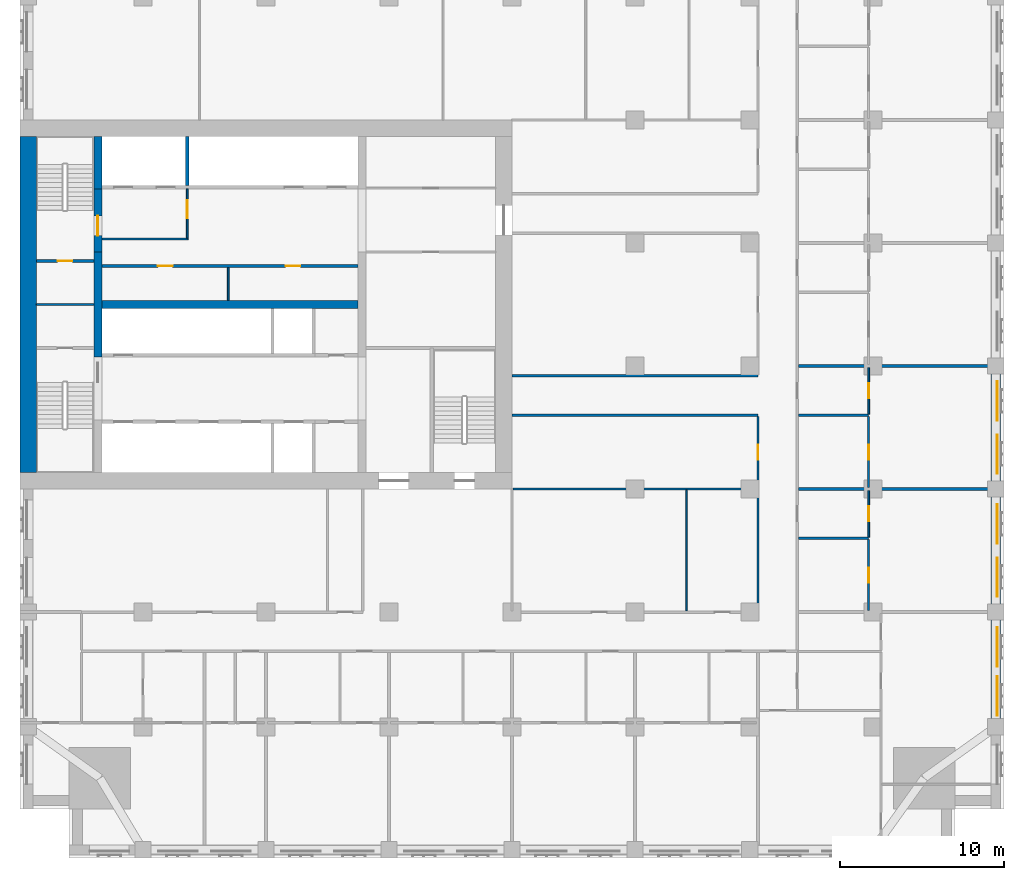
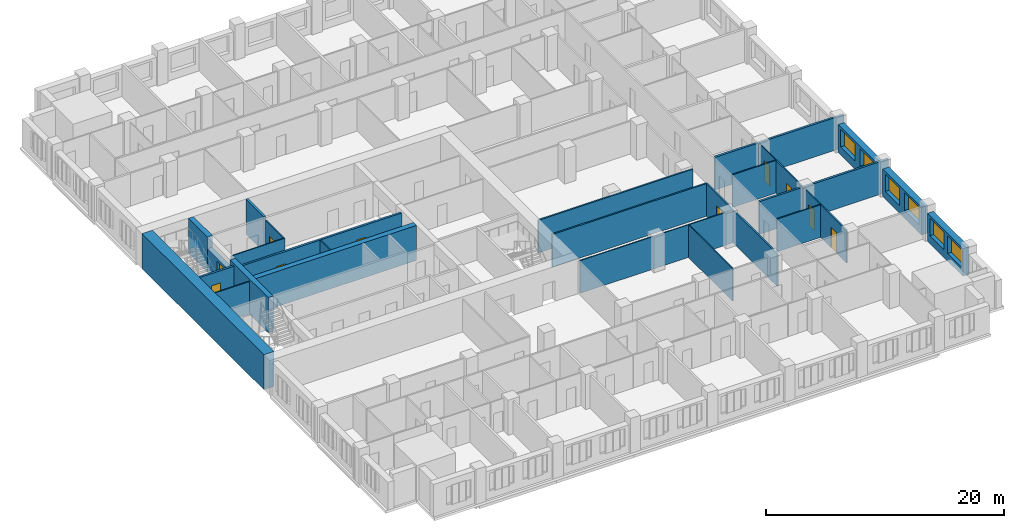
# One storey, part 7 of 14: 28 walls, 10 doors, 6 windows, 16 openings.
"""IFC4 building model written with IfcOpenShell, lengths in metres."""

from ifc_helpers import new_model, si_unit, direction, frame, frame_2d, origin, place, context, subcontext, project, spatial, rectangle, extrude, material, layer, layer_set, type_object, element, fill, save


model = new_model("IFC4")

# Units and contexts
model_context = context("Model", 3, precision=1e-05, world=origin(), true_north=direction((0.0, 1.0)))
body_context = subcontext(model_context, "Body", "Model", "MODEL_VIEW")
ifc_project = project(units=[si_unit("LENGTHUNIT", "METRE"), si_unit("AREAUNIT", "SQUARE_METRE"), si_unit("VOLUMEUNIT", "CUBIC_METRE"), si_unit("PLANEANGLEUNIT", "RADIAN"), si_unit("MASSUNIT", "GRAM", prefix="KILO")], contexts=[model_context])

# Site, building, storey
site_placement = place(None, origin())
site = spatial("IfcSite", under=ifc_project, at=site_placement, CompositionType="ELEMENT")
building_placement = place(site_placement, origin())
building = spatial("IfcBuilding", under=site, at=building_placement, Name="Tamorin Gate", CompositionType="ELEMENT")
storey_placement = place(building_placement, frame((0.0, 0.0, 100.699951171875)))
storey = spatial("IfcBuildingStorey", under=building, at=storey_placement, Name="L24", CompositionType="ELEMENT", Elevation=100.699951171875)

# Wall, openings, windows
ifc_material_1 = material(Name="Precast concrete C40/50", Category="concrete")
ifc_layer_1 = layer(ifc_material_1, 0.60009765625)
ifc_layer_set_1 = layer_set([ifc_layer_1], Name="Precast concrete C40/50")
wall_type_1 = type_object("IfcWallType", Name="Board-marked concrete facade panel 600", PredefinedType="SOLIDWALL", material=ifc_layer_set_1)
wall_1_placement = place(storey_placement, frame((89.5, 46.0, 0.0), z_axis=(0.0, 0.0, 1.0), x_axis=(0.0, 1.0, 0.0)))
wall_1 = element("IfcWall", 1, at=wall_1_placement, inside=storey, type_object=wall_type_1, Name="Facade panel", PredefinedType="SOLIDWALL", context=body_context, shape_type="SweptSolid", body=[
    extrude(rectangle(XDim=6.0, YDim=0.60009765625, at=frame_2d((3.0, 0.0))), origin(), (0.0, 0.0, 1.0), 2.85009765625),
])
opening_1_placement = place(wall_1_placement, frame((0.175048828125, 0.0, 0.800048828125)))
opening_1 = element("IfcOpeningElement", 2, at=opening_1_placement, cuts=wall_1, Name="Opening WN1", PredefinedType="OPENING", context=body_context, shape_type="SweptSolid", body=[
    extrude(rectangle(XDim=2.39990234375, YDim=1.800048828125, at=frame_2d((1.199951171875, 0.89990234375))), frame((0.0, 0.31005859375, 0.0), z_axis=(0.0, -1.0, 0.0), x_axis=(1.0, 0.0, 0.0)), (0.0, 0.0, 1.0), 0.6201171875),
])
opening_2_placement = place(wall_1_placement, frame((3.175048828125, 0.0, 0.800048828125)))
opening_2 = element("IfcOpeningElement", 3, at=opening_2_placement, cuts=wall_1, Name="Opening WN1", PredefinedType="OPENING", context=body_context, shape_type="SweptSolid", body=[
    extrude(rectangle(XDim=2.39990234375, YDim=1.800048828125, at=frame_2d((1.199951171875, 0.89990234375))), frame((0.0, 0.31005859375, 0.0), z_axis=(0.0, -1.0, 0.0), x_axis=(1.0, 0.0, 0.0)), (0.0, 0.0, 1.0), 0.6201171875),
])
ifc_material_2 = material(Name="Clear glass in aluminium frame", Category="aluminium")
window_type = type_object("IfcWindowType", Name="Deep-set window 2400x1800", PartitioningType="SINGLE_PANEL", PredefinedType="WINDOW", material=ifc_material_2)
window_1_placement = place(opening_1_placement, origin())
window_1 = element("IfcWindow", 4, at=window_1_placement, inside=storey, type_object=window_type, Name="Deep-set window", OverallHeight=1.800048828125, OverallWidth=2.39990234375, PartitioningType="SINGLE_PANEL", PredefinedType="WINDOW", context=body_context, shape_type="SweptSolid", body=[
    extrude(rectangle(XDim=2.39990234375, YDim=1.800048828125, at=frame_2d((1.199951171875, 0.89990234375))), frame((0.0, -0.070068359375, 0.0), z_axis=(0.0, -1.0, 0.0), x_axis=(1.0, 0.0, 0.0)), (0.0, 0.0, 1.0), 0.06005859375),
])
fill(opening_1, window_1)
window_2_placement = place(opening_2_placement, origin())
window_2 = element("IfcWindow", 5, at=window_2_placement, inside=storey, type_object=window_type, Name="Deep-set window", OverallHeight=1.800048828125, OverallWidth=2.39990234375, PartitioningType="SINGLE_PANEL", PredefinedType="WINDOW", context=body_context, shape_type="SweptSolid", body=[
    extrude(rectangle(XDim=2.39990234375, YDim=1.800048828125, at=frame_2d((1.199951171875, 0.89990234375))), frame((0.0, -0.070068359375, 0.0), z_axis=(0.0, -1.0, 0.0), x_axis=(1.0, 0.0, 0.0)), (0.0, 0.0, 1.0), 0.06005859375),
])
fill(opening_2, window_2)

wall_2_placement = place(storey_placement, frame((89.5, 53.0, 0.0), z_axis=(0.0, 0.0, 1.0), x_axis=(0.0, 1.0, 0.0)))
wall_2 = element("IfcWall", 6, at=wall_2_placement, inside=storey, type_object=wall_type_1, Name="Facade panel", PredefinedType="SOLIDWALL", context=body_context, shape_type="SweptSolid", body=[
    extrude(rectangle(XDim=6.5, YDim=0.60009765625, at=frame_2d((3.25, 0.0))), origin(), (0.0, 0.0, 1.0), 2.85009765625),
])
opening_3_placement = place(wall_2_placement, frame((0.425048828125, 0.0, 0.800048828125)))
opening_3 = element("IfcOpeningElement", 7, at=opening_3_placement, cuts=wall_2, Name="Opening WN1", PredefinedType="OPENING", context=body_context, shape_type="SweptSolid", body=[
    extrude(rectangle(XDim=2.39990234375, YDim=1.800048828125, at=frame_2d((1.199951171875, 0.89990234375))), frame((0.0, 0.31005859375, 0.0), z_axis=(0.0, -1.0, 0.0), x_axis=(1.0, 0.0, 0.0)), (0.0, 0.0, 1.0), 0.6201171875),
])
opening_4_placement = place(wall_2_placement, frame((3.675048828125, 0.0, 0.800048828125)))
opening_4 = element("IfcOpeningElement", 8, at=opening_4_placement, cuts=wall_2, Name="Opening WN1", PredefinedType="OPENING", context=body_context, shape_type="SweptSolid", body=[
    extrude(rectangle(XDim=2.39990234375, YDim=1.800048828125, at=frame_2d((1.199951171875, 0.89990234375))), frame((0.0, 0.31005859375, 0.0), z_axis=(0.0, -1.0, 0.0), x_axis=(1.0, 0.0, 0.0)), (0.0, 0.0, 1.0), 0.6201171875),
])
window_3_placement = place(opening_3_placement, origin())
window_3 = element("IfcWindow", 9, at=window_3_placement, inside=storey, type_object=window_type, Name="Deep-set window", OverallHeight=1.800048828125, OverallWidth=2.39990234375, PartitioningType="SINGLE_PANEL", PredefinedType="WINDOW", context=body_context, shape_type="SweptSolid", body=[
    extrude(rectangle(XDim=2.39990234375, YDim=1.800048828125, at=frame_2d((1.199951171875, 0.89990234375))), frame((0.0, -0.070068359375, 0.0), z_axis=(0.0, -1.0, 0.0), x_axis=(1.0, 0.0, 0.0)), (0.0, 0.0, 1.0), 0.06005859375),
])
fill(opening_3, window_3)
window_4_placement = place(opening_4_placement, origin())
window_4 = element("IfcWindow", 10, at=window_4_placement, inside=storey, type_object=window_type, Name="Deep-set window", OverallHeight=1.800048828125, OverallWidth=2.39990234375, PartitioningType="SINGLE_PANEL", PredefinedType="WINDOW", context=body_context, shape_type="SweptSolid", body=[
    extrude(rectangle(XDim=2.39990234375, YDim=1.800048828125, at=frame_2d((1.199951171875, 0.89990234375))), frame((0.0, -0.070068359375, 0.0), z_axis=(0.0, -1.0, 0.0), x_axis=(1.0, 0.0, 0.0)), (0.0, 0.0, 1.0), 0.06005859375),
])
fill(opening_4, window_4)

wall_3_placement = place(storey_placement, frame((89.5, 60.5, 0.0), z_axis=(0.0, 0.0, 1.0), x_axis=(0.0, 1.0, 0.0)))
wall_3 = element("IfcWall", 11, at=wall_3_placement, inside=storey, type_object=wall_type_1, Name="Facade panel", PredefinedType="SOLIDWALL", context=body_context, shape_type="SweptSolid", body=[
    extrude(rectangle(XDim=6.5, YDim=0.60009765625, at=frame_2d((3.25, 0.0))), origin(), (0.0, 0.0, 1.0), 2.85009765625),
])
opening_5_placement = place(wall_3_placement, frame((0.425048828125, 0.0, 0.800048828125)))
opening_5 = element("IfcOpeningElement", 12, at=opening_5_placement, cuts=wall_3, Name="Opening WN1", PredefinedType="OPENING", context=body_context, shape_type="SweptSolid", body=[
    extrude(rectangle(XDim=2.39990234375, YDim=1.800048828125, at=frame_2d((1.199951171875, 0.89990234375))), frame((0.0, 0.31005859375, 0.0), z_axis=(0.0, -1.0, 0.0), x_axis=(1.0, 0.0, 0.0)), (0.0, 0.0, 1.0), 0.6201171875),
])
opening_6_placement = place(wall_3_placement, frame((3.675048828125, 0.0, 0.800048828125)))
opening_6 = element("IfcOpeningElement", 13, at=opening_6_placement, cuts=wall_3, Name="Opening WN1", PredefinedType="OPENING", context=body_context, shape_type="SweptSolid", body=[
    extrude(rectangle(XDim=2.39990234375, YDim=1.800048828125, at=frame_2d((1.199951171875, 0.89990234375))), frame((0.0, 0.31005859375, 0.0), z_axis=(0.0, -1.0, 0.0), x_axis=(1.0, 0.0, 0.0)), (0.0, 0.0, 1.0), 0.6201171875),
])
window_5_placement = place(opening_5_placement, origin())
window_5 = element("IfcWindow", 14, at=window_5_placement, inside=storey, type_object=window_type, Name="Deep-set window", OverallHeight=1.800048828125, OverallWidth=2.39990234375, PartitioningType="SINGLE_PANEL", PredefinedType="WINDOW", context=body_context, shape_type="SweptSolid", body=[
    extrude(rectangle(XDim=2.39990234375, YDim=1.800048828125, at=frame_2d((1.199951171875, 0.89990234375))), frame((0.0, -0.070068359375, 0.0), z_axis=(0.0, -1.0, 0.0), x_axis=(1.0, 0.0, 0.0)), (0.0, 0.0, 1.0), 0.06005859375),
])
fill(opening_5, window_5)
window_6_placement = place(opening_6_placement, origin())
window_6 = element("IfcWindow", 15, at=window_6_placement, inside=storey, type_object=window_type, Name="Deep-set window", OverallHeight=1.800048828125, OverallWidth=2.39990234375, PartitioningType="SINGLE_PANEL", PredefinedType="WINDOW", context=body_context, shape_type="SweptSolid", body=[
    extrude(rectangle(XDim=2.39990234375, YDim=1.800048828125, at=frame_2d((1.199951171875, 0.89990234375))), frame((0.0, -0.070068359375, 0.0), z_axis=(0.0, -1.0, 0.0), x_axis=(1.0, 0.0, 0.0)), (0.0, 0.0, 1.0), 0.06005859375),
])
fill(opening_6, window_6)

# Wall, opening, door
ifc_material_3 = material(Name="Gypsum board partition")
ifc_layer_2 = layer(ifc_material_3, 0.14990234375)
ifc_layer_set_2 = layer_set([ifc_layer_2], Name="Corridor wall 150")
wall_type_2 = type_object("IfcWallType", Name="Corridor wall 150", PredefinedType="PARTITIONING", material=ifc_layer_set_2)
wall_4_placement = place(storey_placement, frame((75.0, 52.574951171875, 0.0), z_axis=(0.0, 0.0, 1.0), x_axis=(0.0, 1.0, 0.0)))
wall_4 = element("IfcWall", 16, at=wall_4_placement, inside=storey, type_object=wall_type_2, Name="Corridor wall 150", PredefinedType="PARTITIONING", context=body_context, shape_type="SweptSolid", body=[
    extrude(rectangle(XDim=11.85009765625, YDim=0.14990234375, at=frame_2d((5.925048828125, 0.0))), origin(), (0.0, 0.0, 1.0), 3.35009765625),
])
opening_7_placement = place(wall_4_placement, frame((9.22509765625, 0.0, 0.0)))
opening_7 = element("IfcOpeningElement", 17, at=opening_7_placement, cuts=wall_4, Name="Opening DH7075", PredefinedType="OPENING", context=body_context, shape_type="SweptSolid", body=[
    extrude(rectangle(XDim=0.89990234375, YDim=2.10009765625, at=frame_2d((0.449951171875, 1.050048828125))), frame((0.0, 0.0849609375, 0.0), z_axis=(0.0, -1.0, 0.0), x_axis=(1.0, 0.0, 0.0)), (0.0, 0.0, 1.0), 0.169921875),
])
ifc_material_4 = material(Name="Timber door leaf", Category="wood")
door_type_1 = type_object("IfcDoorType", Name="Door 900 x 2100 FD30S", OperationType="NOTDEFINED", PredefinedType="DOOR", material=ifc_material_4)
door_1_placement = place(opening_7_placement, origin())
door_1 = element("IfcDoor", 18, at=door_1_placement, inside=storey, type_object=door_type_1, Name="Door DH7075", OperationType="SINGLE_SWING_LEFT", OverallHeight=2.10009765625, OverallWidth=0.89990234375, PredefinedType="DOOR", context=body_context, shape_type="SweptSolid", body=[
    extrude(rectangle(XDim=0.89990234375, YDim=2.10009765625, at=frame_2d((0.449951171875, 1.050048828125))), frame((0.0, 0.02490234375, 0.0), z_axis=(0.0, -1.0, 0.0), x_axis=(1.0, 0.0, 0.0)), (0.0, 0.0, 1.0), 0.050048828125),
])
fill(opening_7, door_1)

# Walls
ifc_layer_3 = layer(ifc_material_3, 0.199951171875)
ifc_layer_set_3 = layer_set([ifc_layer_3], Name="Demising wall 200")
wall_type_3 = type_object("IfcWallType", Name="Demising wall 200", PredefinedType="PARTITIONING", material=ifc_layer_set_3)
for number, where, z_axis, x_axis, name in (
    (19, (77.47509765625, 60.0, 0.0), (0.0, 0.0, 1.0), (1.0, 0.0, 0.0), "Demising wall 200"),
    (20, (77.47509765625, 67.5, 0.0), (0.0, 0.0, 1.0), (1.0, 0.0, 0.0), "Demising wall 200"),
):
    element("IfcWall", number, at=place(storey_placement, frame(where, z_axis=z_axis, x_axis=x_axis)), inside=storey, type_object=wall_type_3, Name=name, PredefinedType="PARTITIONING", context=body_context, shape_type="SweptSolid", body=[
        extrude(rectangle(XDim=12.52490234375, YDim=0.199951171875, at=frame_2d((6.262451171875, 0.0))), origin(), (0.0, 0.0, 1.0), 3.35009765625),
    ])
ifc_material_5 = material(Name="Concrete C32/40", Category="concrete")
ifc_layer_4 = layer(ifc_material_5, 0.199951171875)
ifc_layer_set_4 = layer_set([ifc_layer_4], Name="Lift shaft wall 200 EI 120")
wall_type_4 = type_object("IfcWallType", Name="Lift shaft wall 200 EI 120", PredefinedType="SOLIDWALL", material=ifc_layer_set_4)
wall_5_placement = place(storey_placement, frame((40.199951171875, 78.5, 0.0), z_axis=(0.0, 0.0, 1.0), x_axis=(0.0, 1.0, 0.0)))
element("IfcWall", 21, at=wall_5_placement, inside=storey, type_object=wall_type_4, Name="Lift shaft wall", PredefinedType="SOLIDWALL", context=body_context, shape_type="SweptSolid", body=[
    extrude(rectangle(XDim=3.0, YDim=0.199951171875, at=frame_2d((1.5, 0.0))), origin(), (0.0, 0.0, 1.0), 3.60009765625),
])
ifc_material_6 = material(Name="Fire-rated gypsum board partition")
ifc_layer_5 = layer(ifc_material_6, 0.10009765625)
ifc_layer_set_5 = layer_set([ifc_layer_5], Name="Lobby wall 100 EI 60")
wall_type_5 = type_object("IfcWallType", Name="Lobby wall 100 EI 60", PredefinedType="PARTITIONING", material=ifc_layer_set_5)
wall_6_placement = place(storey_placement, frame((35.0, 75.25, 0.0), z_axis=(0.0, 0.0, 1.0), x_axis=(1.0, 0.0, 0.0)))
element("IfcWall", 22, at=wall_6_placement, inside=storey, type_object=wall_type_5, Name="Firefighting lobby wall", PredefinedType="PARTITIONING", context=body_context, shape_type="SweptSolid", body=[
    extrude(rectangle(XDim=5.25, YDim=0.10009765625, at=frame_2d((2.625, 0.0))), origin(), (0.0, 0.0, 1.0), 3.35009765625),
])

# Wall, opening, door
wall_7_placement = place(storey_placement, frame((40.199951171875, 75.300048828125, 0.0), z_axis=(0.0, 0.0, 1.0), x_axis=(0.0, 1.0, 0.0)))
wall_7 = element("IfcWall", 23, at=wall_7_placement, inside=storey, type_object=wall_type_5, Name="Firefighting lobby wall", PredefinedType="PARTITIONING", context=body_context, shape_type="SweptSolid", body=[
    extrude(rectangle(XDim=3.0, YDim=0.10009765625, at=frame_2d((1.5, 0.0))), origin(), (0.0, 0.0, 1.0), 3.35009765625),
])
opening_8_placement = place(wall_7_placement, frame((1.199951171875, 0.0, 0.0)))
opening_8 = element("IfcOpeningElement", 24, at=opening_8_placement, cuts=wall_7, Name="Opening DF1", PredefinedType="OPENING", context=body_context, shape_type="SweptSolid", body=[
    extrude(rectangle(XDim=1.10009765625, YDim=2.10009765625, at=frame_2d((0.550048828125, 1.050048828125))), frame((0.0, 0.06005859375, 0.0), z_axis=(0.0, -1.0, 0.0), x_axis=(1.0, 0.0, 0.0)), (0.0, 0.0, 1.0), 0.1201171875),
])
ifc_material_7 = material(Name="Steel fire door", Category="steel")
door_type_2 = type_object("IfcDoorType", Name="Firefighting lobby door 1100 x 2100 EI 90", OperationType="SINGLE_SWING_LEFT", PredefinedType="DOOR", material=ifc_material_7)
door_2_placement = place(opening_8_placement, origin())
door_2 = element("IfcDoor", 25, at=door_2_placement, inside=storey, type_object=door_type_2, Name="Firefighting lobby door", OperationType="SINGLE_SWING_LEFT", OverallHeight=2.10009765625, OverallWidth=1.10009765625, PredefinedType="DOOR", context=body_context, shape_type="SweptSolid", body=[
    extrude(rectangle(XDim=1.10009765625, YDim=2.10009765625, at=frame_2d((0.550048828125, 1.050048828125))), frame((0.0, 0.02490234375, 0.0), z_axis=(0.0, -1.0, 0.0), x_axis=(1.0, 0.0, 0.0)), (0.0, 0.0, 1.0), 0.050048828125),
])
fill(opening_8, door_2)

# Walls
ifc_layer_6 = layer(ifc_material_3, 0.14990234375)
ifc_layer_set_6 = layer_set([ifc_layer_6], Name="Lobby wall 150")
wall_type_6 = type_object("IfcWallType", Name="Lobby wall 150", PredefinedType="PARTITIONING", material=ifc_layer_set_6)
for number, where, z_axis, x_axis, name in (
    (26, (60.0, 64.5, 0.0), (0.0, 0.0, 1.0), (1.0, 0.0, 0.0), "Lobby wall 150"),
    (27, (60.0, 66.89990234375, 0.0), (0.0, 0.0, 1.0), (1.0, 0.0, 0.0), "Lobby wall 150"),
):
    element("IfcWall", number, at=place(storey_placement, frame(where, z_axis=z_axis, x_axis=x_axis)), inside=storey, type_object=wall_type_6, Name=name, PredefinedType="PARTITIONING", context=body_context, shape_type="SweptSolid", body=[
        extrude(rectangle(XDim=15.0, YDim=0.14990234375, at=frame_2d((7.5, 0.0))), origin(), (0.0, 0.0, 1.0), 3.35009765625),
    ])
ifc_material_8 = material(Name="Concrete C80/95", Category="concrete")
ifc_layer_7 = layer(ifc_material_8, 0.5)
ifc_layer_set_7 = layer_set([ifc_layer_7], Name="RC core internal wall 500 C80/95")
wall_type_7 = type_object("IfcWallType", Name="RC core internal wall 500 C80/95", PredefinedType="SHEAR", material=ifc_layer_set_7)
wall_8_placement = place(storey_placement, frame((35.0, 71.25, 0.0), z_axis=(0.0, 0.0, 1.0), x_axis=(1.0, 0.0, 0.0)))
element("IfcWall", 28, at=wall_8_placement, inside=storey, type_object=wall_type_7, Name="Core spine wall L24", PredefinedType="SHEAR", context=body_context, shape_type="SweptSolid", body=[
    extrude(rectangle(XDim=15.60009765625, YDim=0.5, at=frame_2d((7.800048828125, 0.0))), origin(), (0.0, 0.0, 1.0), 3.60009765625),
])
wall_9_placement = place(storey_placement, frame((34.75, 68.050048828125, 0.0), z_axis=(0.0, 0.0, 1.0), x_axis=(0.0, 1.0, 0.0)))
element("IfcWall", 29, at=wall_9_placement, inside=storey, type_object=wall_type_7, Name="Core cross wall L24", PredefinedType="SHEAR", context=body_context, shape_type="SweptSolid", body=[
    extrude(rectangle(XDim=6.39990234375, YDim=0.5, at=frame_2d((3.199951171875, 0.0))), origin(), (0.0, 0.0, 1.0), 3.60009765625),
])
wall_10_placement = place(storey_placement, frame((34.75, 78.300048828125, 0.0), z_axis=(0.0, 0.0, 1.0), x_axis=(0.0, 1.0, 0.0)))
element("IfcWall", 30, at=wall_10_placement, inside=storey, type_object=wall_type_7, Name="Core cross wall L24", PredefinedType="SHEAR", context=body_context, shape_type="SweptSolid", body=[
    extrude(rectangle(XDim=3.199951171875, YDim=0.5, at=frame_2d((1.60009765625, 0.0))), origin(), (0.0, 0.0, 1.0), 3.60009765625),
])
ifc_layer_8 = layer(ifc_material_8, 1.0)
ifc_layer_set_8 = layer_set([ifc_layer_8], Name="RC core wall 1000 C80/95")
wall_type_8 = type_object("IfcWallType", Name="RC core wall 1000 C80/95", PredefinedType="SHEAR", material=ifc_layer_set_8)
wall_11_placement = place(storey_placement, frame((30.5, 61.0, 0.0), z_axis=(0.0, 0.0, 1.0), x_axis=(0.0, 1.0, 0.0)))
element("IfcWall", 31, at=wall_11_placement, inside=storey, type_object=wall_type_8, Name="Core wall L24", PredefinedType="SHEAR", context=body_context, shape_type="SweptSolid", body=[
    extrude(rectangle(XDim=20.5, YDim=1.0, at=frame_2d((10.25, 0.0))), origin(), (0.0, 0.0, 1.0), 3.60009765625),
])
ifc_layer_9 = layer(ifc_material_6, 0.10009765625)
ifc_layer_set_9 = layer_set([ifc_layer_9], Name="Riser partition 100 EI 120")
wall_type_9 = type_object("IfcWallType", Name="Riser partition 100 EI 120", PredefinedType="PARTITIONING", material=ifc_layer_set_9)
wall_12_placement = place(storey_placement, frame((31.0, 71.25, 0.0), z_axis=(0.0, 0.0, 1.0), x_axis=(1.0, 0.0, 0.0)))
element("IfcWall", 32, at=wall_12_placement, inside=storey, type_object=wall_type_9, Name="Riser partition", PredefinedType="PARTITIONING", context=body_context, shape_type="SweptSolid", body=[
    extrude(rectangle(XDim=3.5, YDim=0.10009765625, at=frame_2d((1.75, 0.0))), origin(), (0.0, 0.0, 1.0), 3.35009765625),
])
ifc_layer_10 = layer(ifc_material_3, 0.10009765625)
ifc_layer_set_10 = layer_set([ifc_layer_10], Name="Room partition 100")
wall_type_10 = type_object("IfcWallType", Name="Room partition 100", PredefinedType="PARTITIONING", material=ifc_layer_set_10)
wall_13_placement = place(storey_placement, frame((60.074951171875, 60.0, 0.0), z_axis=(0.0, 0.0, 1.0), x_axis=(1.0, 0.0, 0.0)))
element("IfcWall", 33, at=wall_13_placement, inside=storey, type_object=wall_type_10, Name="Room partition 100", PredefinedType="PARTITIONING", context=body_context, shape_type="SweptSolid", body=[
    extrude(rectangle(XDim=14.85009765625, YDim=0.10009765625, at=frame_2d((7.425048828125, 0.0))), origin(), (0.0, 0.0, 1.0), 3.35009765625),
])
wall_14_placement = place(storey_placement, frame((70.64990234375, 52.574951171875, 0.0), z_axis=(0.0, 0.0, 1.0), x_axis=(0.0, 1.0, 0.0)))
element("IfcWall", 34, at=wall_14_placement, inside=storey, type_object=wall_type_10, Name="Room partition 100", PredefinedType="PARTITIONING", context=body_context, shape_type="SweptSolid", body=[
    extrude(rectangle(XDim=7.375, YDim=0.10009765625, at=frame_2d((3.6875, 0.0))), origin(), (0.0, 0.0, 1.0), 3.35009765625),
])

# Wall, opening, door
wall_15_placement = place(storey_placement, frame((81.75, 57.0625, 0.0), z_axis=(0.0, 0.0, 1.0), x_axis=(0.0, 1.0, 0.0)))
wall_15 = element("IfcWall", 35, at=wall_15_placement, inside=storey, type_object=wall_type_10, Name="Room partition 100", PredefinedType="PARTITIONING", context=body_context, shape_type="SweptSolid", body=[
    extrude(rectangle(XDim=2.83740234375, YDim=0.10009765625, at=frame_2d((1.418701171875, 0.0))), origin(), (0.0, 0.0, 1.0), 3.35009765625),
])
opening_9_placement = place(wall_15_placement, frame((0.987548828125, 0.0, 0.0)))
opening_9 = element("IfcOpeningElement", 36, at=opening_9_placement, cuts=wall_15, Name="Opening DH7041", PredefinedType="OPENING", context=body_context, shape_type="SweptSolid", body=[
    extrude(rectangle(XDim=0.89990234375, YDim=2.10009765625, at=frame_2d((0.449951171875, 1.050048828125))), frame((0.0, 0.06005859375, 0.0), z_axis=(0.0, -1.0, 0.0), x_axis=(1.0, 0.0, 0.0)), (0.0, 0.0, 1.0), 0.1201171875),
])
door_type_3 = type_object("IfcDoorType", Name="Door 900 x 2100", OperationType="NOTDEFINED", PredefinedType="DOOR", material=ifc_material_4)
door_3_placement = place(opening_9_placement, origin())
door_3 = element("IfcDoor", 37, at=door_3_placement, inside=storey, type_object=door_type_3, Name="Door DH7041", OperationType="SINGLE_SWING_LEFT", OverallHeight=2.10009765625, OverallWidth=0.89990234375, PredefinedType="DOOR", context=body_context, shape_type="SweptSolid", body=[
    extrude(rectangle(XDim=0.89990234375, YDim=2.10009765625, at=frame_2d((0.449951171875, 1.050048828125))), frame((0.0, 0.02490234375, 0.0), z_axis=(0.0, -1.0, 0.0), x_axis=(1.0, 0.0, 0.0)), (0.0, 0.0, 1.0), 0.050048828125),
])
fill(opening_9, door_3)

wall_16_placement = place(storey_placement, frame((81.75, 64.5625, 0.0), z_axis=(0.0, 0.0, 1.0), x_axis=(0.0, 1.0, 0.0)))
wall_16 = element("IfcWall", 38, at=wall_16_placement, inside=storey, type_object=wall_type_10, Name="Room partition 100", PredefinedType="PARTITIONING", context=body_context, shape_type="SweptSolid", body=[
    extrude(rectangle(XDim=2.83740234375, YDim=0.10009765625, at=frame_2d((1.418701171875, 0.0))), origin(), (0.0, 0.0, 1.0), 3.35009765625),
])
opening_10_placement = place(wall_16_placement, frame((0.987548828125, 0.0, 0.0)))
opening_10 = element("IfcOpeningElement", 39, at=opening_10_placement, cuts=wall_16, Name="Opening DH7044", PredefinedType="OPENING", context=body_context, shape_type="SweptSolid", body=[
    extrude(rectangle(XDim=0.89990234375, YDim=2.10009765625, at=frame_2d((0.449951171875, 1.050048828125))), frame((0.0, 0.06005859375, 0.0), z_axis=(0.0, -1.0, 0.0), x_axis=(1.0, 0.0, 0.0)), (0.0, 0.0, 1.0), 0.1201171875),
])
door_4_placement = place(opening_10_placement, origin())
door_4 = element("IfcDoor", 40, at=door_4_placement, inside=storey, type_object=door_type_3, Name="Door DH7044", OperationType="SINGLE_SWING_LEFT", OverallHeight=2.10009765625, OverallWidth=0.89990234375, PredefinedType="DOOR", context=body_context, shape_type="SweptSolid", body=[
    extrude(rectangle(XDim=0.89990234375, YDim=2.10009765625, at=frame_2d((0.449951171875, 1.050048828125))), frame((0.0, 0.02490234375, 0.0), z_axis=(0.0, -1.0, 0.0), x_axis=(1.0, 0.0, 0.0)), (0.0, 0.0, 1.0), 0.050048828125),
])
fill(opening_10, door_4)

# Wall, openings, doors
ifc_layer_11 = layer(ifc_material_3, 0.199951171875)
ifc_layer_set_11 = layer_set([ifc_layer_11], Name="Service room face wall 200 EI 60")
wall_type_11 = type_object("IfcWallType", Name="Service room face wall 200 EI 60", PredefinedType="PARTITIONING", material=ifc_layer_set_11)
wall_17_placement = place(storey_placement, frame((35.0, 73.60009765625, 0.0), z_axis=(0.0, 0.0, 1.0), x_axis=(1.0, 0.0, 0.0)))
wall_17 = element("IfcWall", 41, at=wall_17_placement, inside=storey, type_object=wall_type_11, Name="Service room face wall", PredefinedType="PARTITIONING", context=body_context, shape_type="SweptSolid", body=[
    extrude(rectangle(XDim=15.60009765625, YDim=0.199951171875, at=frame_2d((7.800048828125, 0.0))), origin(), (0.0, 0.0, 1.0), 3.35009765625),
])
opening_11_placement = place(wall_17_placement, frame((3.39990234375, 0.0, 0.0)))
opening_11 = element("IfcOpeningElement", 42, at=opening_11_placement, cuts=wall_17, Name="Opening DK1", PredefinedType="OPENING", context=body_context, shape_type="SweptSolid", body=[
    extrude(rectangle(XDim=0.89990234375, YDim=2.10009765625, at=frame_2d((0.449951171875, 1.050048828125))), frame((0.0, 0.10986328125, 0.0), z_axis=(0.0, -1.0, 0.0), x_axis=(1.0, 0.0, 0.0)), (0.0, 0.0, 1.0), 0.219970703125),
])
opening_12_placement = place(wall_17_placement, frame((11.199951171875, 0.0, 0.0)))
opening_12 = element("IfcOpeningElement", 43, at=opening_12_placement, cuts=wall_17, Name="Opening DK1", PredefinedType="OPENING", context=body_context, shape_type="SweptSolid", body=[
    extrude(rectangle(XDim=0.89990234375, YDim=2.10009765625, at=frame_2d((0.449951171875, 1.050048828125))), frame((0.0, 0.10986328125, 0.0), z_axis=(0.0, -1.0, 0.0), x_axis=(1.0, 0.0, 0.0)), (0.0, 0.0, 1.0), 0.219970703125),
])
ifc_material_9 = material(Name="Timber fire door", Category="wood")
door_type_4 = type_object("IfcDoorType", Name="Service room door 900 x 2100 EI 60", OperationType="SINGLE_SWING_LEFT", PredefinedType="DOOR", material=ifc_material_9)
door_5_placement = place(opening_11_placement, origin())
door_5 = element("IfcDoor", 44, at=door_5_placement, inside=storey, type_object=door_type_4, Name="Door Housekeeping store", OperationType="SINGLE_SWING_RIGHT", OverallHeight=2.10009765625, OverallWidth=0.89990234375, PredefinedType="DOOR", context=body_context, shape_type="SweptSolid", body=[
    extrude(rectangle(XDim=0.89990234375, YDim=2.10009765625, at=frame_2d((0.449951171875, 1.050048828125))), frame((0.0, 0.02490234375, 0.0), z_axis=(0.0, -1.0, 0.0), x_axis=(1.0, 0.0, 0.0)), (0.0, 0.0, 1.0), 0.050048828125),
])
fill(opening_11, door_5)
door_6_placement = place(opening_12_placement, origin())
door_6 = element("IfcDoor", 45, at=door_6_placement, inside=storey, type_object=door_type_4, Name="Door Electrical and IT room", OperationType="SINGLE_SWING_LEFT", OverallHeight=2.10009765625, OverallWidth=0.89990234375, PredefinedType="DOOR", context=body_context, shape_type="SweptSolid", body=[
    extrude(rectangle(XDim=0.89990234375, YDim=2.10009765625, at=frame_2d((0.449951171875, 1.050048828125))), frame((0.0, 0.02490234375, 0.0), z_axis=(0.0, -1.0, 0.0), x_axis=(1.0, 0.0, 0.0)), (0.0, 0.0, 1.0), 0.050048828125),
])
fill(opening_12, door_6)

# Wall
ifc_layer_12 = layer(ifc_material_3, 0.10009765625)
ifc_layer_set_12 = layer_set([ifc_layer_12], Name="Service room partition 100 EI 60")
wall_type_12 = type_object("IfcWallType", Name="Service room partition 100 EI 60", PredefinedType="PARTITIONING", material=ifc_layer_set_12)
wall_18_placement = place(storey_placement, frame((42.699951171875, 71.5, 0.0), z_axis=(0.0, 0.0, 1.0), x_axis=(0.0, 1.0, 0.0)))
element("IfcWall", 46, at=wall_18_placement, inside=storey, type_object=wall_type_12, Name="Service room partition", PredefinedType="PARTITIONING", context=body_context, shape_type="SweptSolid", body=[
    extrude(rectangle(XDim=2.0, YDim=0.10009765625, at=frame_2d((1.0, 0.0))), origin(), (0.0, 0.0, 1.0), 3.35009765625),
])

# Wall, opening, door
ifc_material_10 = material(Name="Concrete C40/50", Category="concrete")
ifc_layer_13 = layer(ifc_material_10, 0.199951171875)
ifc_layer_set_13 = layer_set([ifc_layer_13], Name="Stair enclosure wall 200 EI 120 C40/50")
wall_type_13 = type_object("IfcWallType", Name="Stair enclosure wall 200 EI 120 C40/50", PredefinedType="SOLIDWALL", material=ifc_layer_set_13)
wall_19_placement = place(storey_placement, frame((31.0, 73.89990234375, 0.0), z_axis=(0.0, 0.0, 1.0), x_axis=(1.0, 0.0, 0.0)))
wall_19 = element("IfcWall", 47, at=wall_19_placement, inside=storey, type_object=wall_type_13, Name="Stair enclosure wall", PredefinedType="SOLIDWALL", context=body_context, shape_type="SweptSolid", body=[
    extrude(rectangle(XDim=3.5, YDim=0.199951171875, at=frame_2d((1.75, 0.0))), origin(), (0.0, 0.0, 1.0), 3.35009765625),
])
opening_13_placement = place(wall_19_placement, frame((1.300048828125, 0.0, 0.0)))
opening_13 = element("IfcOpeningElement", 48, at=opening_13_placement, cuts=wall_19, Name="Opening DR1", PredefinedType="OPENING", context=body_context, shape_type="SweptSolid", body=[
    extrude(rectangle(XDim=0.89990234375, YDim=2.10009765625, at=frame_2d((0.449951171875, 1.050048828125))), frame((0.0, 0.10986328125, 0.0), z_axis=(0.0, -1.0, 0.0), x_axis=(1.0, 0.0, 0.0)), (0.0, 0.0, 1.0), 0.219970703125),
])
door_type_5 = type_object("IfcDoorType", Name="Riser access door 900 x 2100 EI 120", OperationType="SINGLE_SWING_LEFT", PredefinedType="DOOR", material=ifc_material_7)
door_7_placement = place(opening_13_placement, origin())
door_7 = element("IfcDoor", 49, at=door_7_placement, inside=storey, type_object=door_type_5, Name="Communications riser door", OperationType="SINGLE_SWING_RIGHT", OverallHeight=2.10009765625, OverallWidth=0.89990234375, PredefinedType="DOOR", context=body_context, shape_type="SweptSolid", body=[
    extrude(rectangle(XDim=0.89990234375, YDim=2.10009765625, at=frame_2d((0.449951171875, 1.050048828125))), frame((0.0, 0.02490234375, 0.0), z_axis=(0.0, -1.0, 0.0), x_axis=(1.0, 0.0, 0.0)), (0.0, 0.0, 1.0), 0.050048828125),
])
fill(opening_13, door_7)

ifc_layer_14 = layer(ifc_material_5, 0.5)
ifc_layer_set_14 = layer_set([ifc_layer_14], Name="Stair lobby infill wall 500 EI 120")
wall_type_14 = type_object("IfcWallType", Name="Stair lobby infill wall 500 EI 120", PredefinedType="SOLIDWALL", material=ifc_layer_set_14)
wall_20_placement = place(storey_placement, frame((34.75, 74.449951171875, 0.0), z_axis=(0.0, 0.0, 1.0), x_axis=(0.0, 1.0, 0.0)))
wall_20 = element("IfcWall", 50, at=wall_20_placement, inside=storey, type_object=wall_type_14, Name="Stair lobby infill wall", PredefinedType="SOLIDWALL", context=body_context, shape_type="SweptSolid", body=[
    extrude(rectangle(XDim=3.85009765625, YDim=0.5, at=frame_2d((1.925048828125, 0.0))), origin(), (0.0, 0.0, 1.0), 2.400146484375),
])
opening_14_placement = place(wall_20_placement, frame((1.0, 0.0, 0.0)))
opening_14 = element("IfcOpeningElement", 51, at=opening_14_placement, cuts=wall_20, Name="Opening DS1", PredefinedType="OPENING", context=body_context, shape_type="SweptSolid", body=[
    extrude(rectangle(XDim=1.199951171875, YDim=2.10009765625, at=frame_2d((0.60009765625, 1.050048828125))), frame((0.0, 0.260009765625, 0.0), z_axis=(0.0, -1.0, 0.0), x_axis=(1.0, 0.0, 0.0)), (0.0, 0.0, 1.0), 0.52001953125),
])
door_type_6 = type_object("IfcDoorType", Name="Stair door 1200 x 2100 EI 90", OperationType="SINGLE_SWING_LEFT", PredefinedType="DOOR", material=ifc_material_7)
door_8_placement = place(opening_14_placement, origin())
door_8 = element("IfcDoor", 52, at=door_8_placement, inside=storey, type_object=door_type_6, Name="ST2 door", OperationType="SINGLE_SWING_RIGHT", OverallHeight=2.10009765625, OverallWidth=1.199951171875, PredefinedType="DOOR", context=body_context, shape_type="SweptSolid", body=[
    extrude(rectangle(XDim=1.199951171875, YDim=2.10009765625, at=frame_2d((0.60009765625, 1.050048828125))), frame((0.0, 0.02490234375, 0.0), z_axis=(0.0, -1.0, 0.0), x_axis=(1.0, 0.0, 0.0)), (0.0, 0.0, 1.0), 0.050048828125),
])
fill(opening_14, door_8)

# Walls
ifc_layer_15 = layer(ifc_material_3, 0.125)
ifc_layer_set_15 = layer_set([ifc_layer_15], Name="Wet wall 125")
wall_type_15 = type_object("IfcWallType", Name="Wet wall 125", PredefinedType="PARTITIONING", material=ifc_layer_set_15)
for number, where, z_axis, x_axis, name in (
    (53, (77.47509765625, 57.0, 0.0), (0.0, 0.0, 1.0), (1.0, 0.0, 0.0), "Wet wall 125"),
    (54, (77.47509765625, 64.5, 0.0), (0.0, 0.0, 1.0), (1.0, 0.0, 0.0), "Wet wall 125"),
):
    element("IfcWall", number, at=place(storey_placement, frame(where, z_axis=z_axis, x_axis=x_axis)), inside=storey, type_object=wall_type_15, Name=name, PredefinedType="PARTITIONING", context=body_context, shape_type="SweptSolid", body=[
        extrude(rectangle(XDim=4.27490234375, YDim=0.125, at=frame_2d((2.137451171875, 0.0))), origin(), (0.0, 0.0, 1.0), 3.35009765625),
    ])

# Wall, opening, door
wall_21_placement = place(storey_placement, frame((81.75, 52.60009765625, 0.0), z_axis=(0.0, 0.0, 1.0), x_axis=(0.0, 1.0, 0.0)))
wall_21 = element("IfcWall", 55, at=wall_21_placement, inside=storey, type_object=wall_type_15, Name="Wet wall 125", PredefinedType="PARTITIONING", context=body_context, shape_type="SweptSolid", body=[
    extrude(rectangle(XDim=4.33740234375, YDim=0.125, at=frame_2d((2.168701171875, 0.0))), origin(), (0.0, 0.0, 1.0), 3.35009765625),
])
opening_15_placement = place(wall_21_placement, frame((1.699951171875, 0.0, 0.0)))
opening_15 = element("IfcOpeningElement", 56, at=opening_15_placement, cuts=wall_21, Name="Opening DH7039", PredefinedType="OPENING", context=body_context, shape_type="SweptSolid", body=[
    extrude(rectangle(XDim=0.89990234375, YDim=2.10009765625, at=frame_2d((0.449951171875, 1.050048828125))), frame((0.0, 0.072509765625, 0.0), z_axis=(0.0, -1.0, 0.0), x_axis=(1.0, 0.0, 0.0)), (0.0, 0.0, 1.0), 0.14501953125),
])
door_9_placement = place(opening_15_placement, origin())
door_9 = element("IfcDoor", 57, at=door_9_placement, inside=storey, type_object=door_type_3, Name="Door DH7039", OperationType="SINGLE_SWING_LEFT", OverallHeight=2.10009765625, OverallWidth=0.89990234375, PredefinedType="DOOR", context=body_context, shape_type="SweptSolid", body=[
    extrude(rectangle(XDim=0.89990234375, YDim=2.10009765625, at=frame_2d((0.449951171875, 1.050048828125))), frame((0.0, 0.02490234375, 0.0), z_axis=(0.0, -1.0, 0.0), x_axis=(1.0, 0.0, 0.0)), (0.0, 0.0, 1.0), 0.050048828125),
])
fill(opening_15, door_9)

wall_22_placement = place(storey_placement, frame((81.75, 60.10009765625, 0.0), z_axis=(0.0, 0.0, 1.0), x_axis=(0.0, 1.0, 0.0)))
wall_22 = element("IfcWall", 58, at=wall_22_placement, inside=storey, type_object=wall_type_15, Name="Wet wall 125", PredefinedType="PARTITIONING", context=body_context, shape_type="SweptSolid", body=[
    extrude(rectangle(XDim=4.33740234375, YDim=0.125, at=frame_2d((2.168701171875, 0.0))), origin(), (0.0, 0.0, 1.0), 3.35009765625),
])
opening_16_placement = place(wall_22_placement, frame((1.699951171875, 0.0, 0.0)))
opening_16 = element("IfcOpeningElement", 59, at=opening_16_placement, cuts=wall_22, Name="Opening DH7042", PredefinedType="OPENING", context=body_context, shape_type="SweptSolid", body=[
    extrude(rectangle(XDim=0.89990234375, YDim=2.10009765625, at=frame_2d((0.449951171875, 1.050048828125))), frame((0.0, 0.072509765625, 0.0), z_axis=(0.0, -1.0, 0.0), x_axis=(1.0, 0.0, 0.0)), (0.0, 0.0, 1.0), 0.14501953125),
])
door_10_placement = place(opening_16_placement, origin())
door_10 = element("IfcDoor", 60, at=door_10_placement, inside=storey, type_object=door_type_3, Name="Door DH7042", OperationType="SINGLE_SWING_LEFT", OverallHeight=2.10009765625, OverallWidth=0.89990234375, PredefinedType="DOOR", context=body_context, shape_type="SweptSolid", body=[
    extrude(rectangle(XDim=0.89990234375, YDim=2.10009765625, at=frame_2d((0.449951171875, 1.050048828125))), frame((0.0, 0.02490234375, 0.0), z_axis=(0.0, -1.0, 0.0), x_axis=(1.0, 0.0, 0.0)), (0.0, 0.0, 1.0), 0.050048828125),
])
fill(opening_16, door_10)

save(model, "model.ifc")
